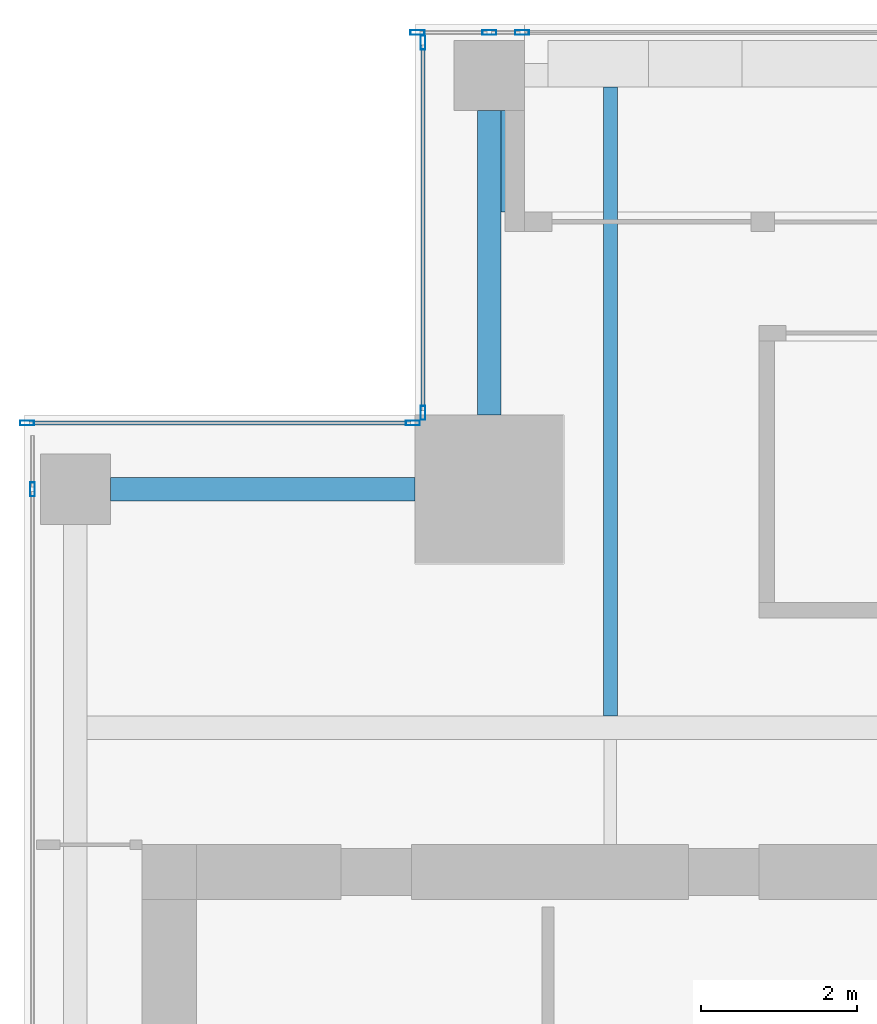
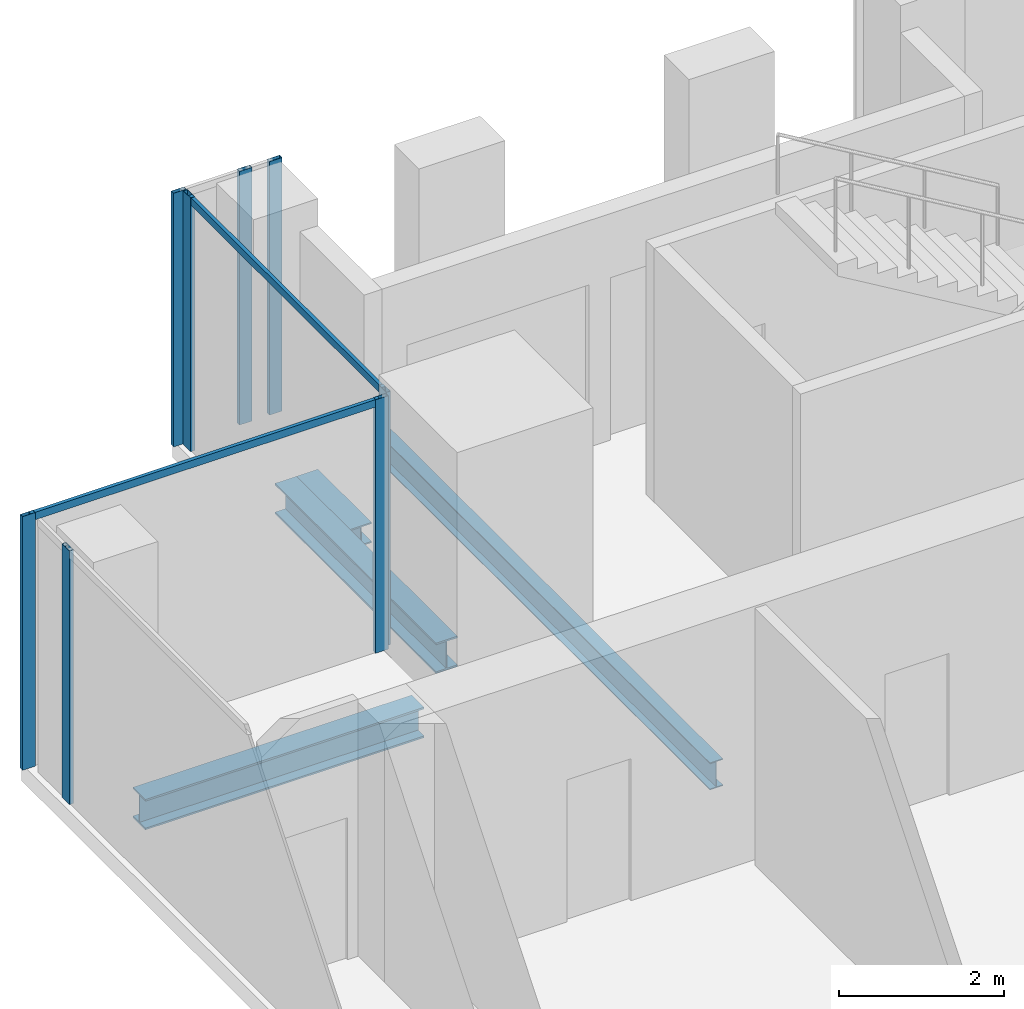
# One storey, part 17 of 36: 10 members, 4 beams, 4 elements without a shape of their own.
"""IFC4 building model written with IfcOpenShell, lengths in metres."""

from ifc_helpers import new_model, si_unit, direction, frame, origin, origin_2d, place, context, subcontext, project, spatial, hollow_rectangle, i_section, extrude, source, transform, mapped, material, material_profile, profile_set, type_object, element, aggregate, save


model = new_model("IFC4")

# Units and contexts
model_context = context("Model", 3, precision=1e-05, world=origin(), true_north=direction((0.0, 1.0)))
body_context = subcontext(model_context, "Body", "Model", "MODEL_VIEW")
ifc_project = project(units=[si_unit("LENGTHUNIT", "METRE"), si_unit("AREAUNIT", "SQUARE_METRE"), si_unit("VOLUMEUNIT", "CUBIC_METRE"), si_unit("PLANEANGLEUNIT", "RADIAN"), si_unit("MASSUNIT", "GRAM", prefix="KILO")], contexts=[model_context])

# Site, building, storey
site_placement = place(None, origin())
site = spatial("IfcSite", under=ifc_project, at=site_placement, CompositionType="ELEMENT")
building_placement = place(site_placement, origin())
building = spatial("IfcBuilding", under=site, at=building_placement, Name="Khomas Fold Tower", CompositionType="ELEMENT")
storey_placement = place(building_placement, frame((0.0, 0.0, 238.199951171875)))
storey = spatial("IfcBuildingStorey", under=building, at=storey_placement, Name="L53", CompositionType="ELEMENT", Elevation=238.199951171875)

# Beams
ifc_material_1 = material(Name="Steel S355", Category="steel")
ifc_material_profile_1 = material_profile(ifc_material_1, i_section(OverallWidth=0.300048828125, OverallDepth=0.449951171875, WebThickness=0.013916015625, FlangeThickness=0.02587890625, at=origin_2d()), Name="HE 450 B")
ifc_profile_set_1 = profile_set([ifc_material_profile_1], Name="Steel S355")
beam_type_1 = type_object("IfcBeamType", Name="HE 450 B spandrel SB4", PredefinedType="SPANDREL", material=ifc_profile_set_1)
shared_shape_1 = source(origin(), body_context, "Body", "SweptSolid", [
    extrude(i_section(OverallWidth=0.300048828125, OverallDepth=0.449951171875, WebThickness=0.013916015625, FlangeThickness=0.02587890625, at=origin_2d()), origin(), (0.0, 0.0, 1.0), 3.89990234375),
])
for number, where, z_axis, x_axis, name in (
    (1, (10.449951171875, 44.5, -0.474853515625), (0.0, 1.0, 0.0), (-1.0, 0.0, 0.0), "SB4"),
    (2, (5.60009765625, 43.550048828125, -0.474853515625), (1.0, 0.0, 0.0), (0.0, 1.0, 0.0), "SB4"),
):
    element("IfcBeam", number, at=place(storey_placement, frame(where, z_axis=z_axis, x_axis=x_axis)), inside=storey, type_object=beam_type_1, Name=name, PredefinedType="SPANDREL", context=body_context, shape_type="MappedRepresentation", body=[
        mapped(shared_shape_1, transform((0.0, 0.0, 0.0))),
    ])
ifc_material_2 = material(Name="Steel S355", Category="steel")
ifc_material_profile_2 = material_profile(ifc_material_2, i_section(OverallWidth=0.179931640625, OverallDepth=0.39990234375, WebThickness=0.008544921875, FlangeThickness=0.013427734375, at=origin_2d()), Name="IPE 400")
ifc_profile_set_2 = profile_set([ifc_material_profile_2], Name="Steel S355")
beam_type_2 = type_object("IfcBeamType", Name="IPE 400 beam JB3", PredefinedType="BEAM", material=ifc_profile_set_2)
shared_shape_2 = source(origin(), body_context, "Body", "SweptSolid", [
    extrude(i_section(OverallWidth=0.179931640625, OverallDepth=0.39990234375, WebThickness=0.008544921875, FlangeThickness=0.013427734375, at=origin_2d()), origin(), (0.0, 0.0, 1.0), 8.050048828125),
])
beam_1_placement = place(storey_placement, frame((12.0, 40.64990234375, -0.449951171875), z_axis=(0.0, 1.0, 0.0), x_axis=(-1.0, 0.0, 0.0)))
element("IfcBeam", 3, at=beam_1_placement, inside=storey, type_object=beam_type_2, Name="JB3", PredefinedType="BEAM", context=body_context, shape_type="MappedRepresentation", body=[
    mapped(shared_shape_2, transform((0.0, 0.0, 0.0))),
])
ifc_material_3 = material(Name="Steel S355", Category="steel")
ifc_material_profile_3 = material_profile(ifc_material_3, i_section(OverallWidth=0.300048828125, OverallDepth=0.300048828125, WebThickness=0.010986328125, FlangeThickness=0.01904296875, at=origin_2d()), Name="HE 300 B")
ifc_profile_set_3 = profile_set([ifc_material_profile_3], Name="Steel S355")
beam_type_3 = type_object("IfcBeamType", Name="HE 300 B beam BB1", PredefinedType="BEAM", material=ifc_profile_set_3)
shared_shape_3 = source(origin(), body_context, "Body", "SweptSolid", [
    extrude(i_section(OverallWidth=0.300048828125, OverallDepth=0.300048828125, WebThickness=0.010986328125, FlangeThickness=0.01904296875, at=origin_2d()), origin(), (0.0, 0.0, 1.0), 1.2998046875),
])
beam_2_placement = place(storey_placement, frame((10.75, 47.10009765625, -0.39990234375), z_axis=(0.0, 1.0, 0.0), x_axis=(-1.0, 0.0, 0.0)))
element("IfcBeam", 4, at=beam_2_placement, inside=storey, type_object=beam_type_3, Name="BB1", PredefinedType="BEAM", context=body_context, shape_type="MappedRepresentation", body=[
    mapped(shared_shape_3, transform((0.0, 0.0, 0.0))),
])

# Curtain wall, members
ifc_material_4 = material(Name="Aluminium framed double glazing", Category="aluminium")
curtain_wall_type = type_object("IfcCurtainWallType", Name="SK-Unitised clear-glass wall, office floors CW2", PredefinedType="NOTDEFINED", material=ifc_material_4)
curtain_wall_1_placement = place(storey_placement, origin())
curtain_wall_1 = element("IfcCurtainWall", 5, at=curtain_wall_1_placement, inside=storey, type_object=curtain_wall_type, Name="CW2 run L53 06-2", PredefinedType="NOTDEFINED")
ifc_material_5 = material(Name="Aluminium", Category="aluminium")
ifc_material_profile_4 = material_profile(ifc_material_5, hollow_rectangle(XDim=0.06005859375, YDim=0.179931640625, WallThickness=0.00390625, at=origin_2d()), Name="SK-Unitised clear-glass wall, office floors mullion CW2-M")
ifc_profile_set_4 = profile_set([ifc_material_profile_4], Name="Aluminium")
member_type_1 = type_object("IfcMemberType", Name="SK-Unitised clear-glass wall, office floors mullion CW2-M", PredefinedType="MULLION", material=ifc_profile_set_4)
shared_shape_4 = source(origin(), body_context, "Body", "SweptSolid", [
    extrude(hollow_rectangle(XDim=0.06005859375, YDim=0.179931640625, WallThickness=0.00390625, at=origin_2d()), origin(), (0.0, 0.0, 1.0), 3.75),
])
member_1_placement = place(storey_placement, frame((10.8701171875, 49.39990234375, 0.0), z_axis=(0.0, 0.0, 1.0), x_axis=(0.0, -1.0, 0.0)))
member_1 = element("IfcMember", 6, at=member_1_placement, type_object=member_type_1, Name="CW2 mullion 1", PredefinedType="MULLION", context=body_context, shape_type="MappedRepresentation", body=[
    mapped(shared_shape_4, transform((0.0, 0.0, 0.0))),
])
member_2_placement = place(storey_placement, frame((10.449951171875, 49.39990234375, 0.0), z_axis=(0.0, 0.0, 1.0), x_axis=(0.0, -1.0, 0.0)))
member_2 = element("IfcMember", 7, at=member_2_placement, type_object=member_type_1, Name="CW2 mullion 2", PredefinedType="MULLION", context=body_context, shape_type="MappedRepresentation", body=[
    mapped(shared_shape_4, transform((0.0, 0.0, 0.0))),
])
member_3_placement = place(storey_placement, frame((9.530029296875, 49.39990234375, 0.0), z_axis=(0.0, 0.0, 1.0), x_axis=(0.0, -1.0, 0.0)))
member_3 = element("IfcMember", 8, at=member_3_placement, type_object=member_type_1, Name="CW2 mullion 3", PredefinedType="MULLION", context=body_context, shape_type="MappedRepresentation", body=[
    mapped(shared_shape_4, transform((0.0, 0.0, 0.0))),
])
aggregate(curtain_wall_1, [member_1, member_2, member_3])

curtain_wall_2_placement = place(storey_placement, origin())
curtain_wall_2 = element("IfcCurtainWall", 9, at=curtain_wall_2_placement, inside=storey, type_object=curtain_wall_type, Name="CW2 corner return L53 07", PredefinedType="NOTDEFINED")
member_4_placement = place(storey_placement, frame((9.60009765625, 49.27001953125, 0.0), z_axis=(0.0, 0.0, 1.0), x_axis=(1.0, 0.0, 0.0)))
member_4 = element("IfcMember", 10, at=member_4_placement, type_object=member_type_1, Name="CW2 mullion 1", PredefinedType="MULLION", context=body_context, shape_type="MappedRepresentation", body=[
    mapped(shared_shape_4, transform((0.0, 0.0, 0.0))),
])
member_5_placement = place(storey_placement, frame((9.60009765625, 44.530029296875, 0.0), z_axis=(0.0, 0.0, 1.0), x_axis=(1.0, 0.0, 0.0)))
member_5 = element("IfcMember", 11, at=member_5_placement, type_object=member_type_1, Name="CW2 mullion 2", PredefinedType="MULLION", context=body_context, shape_type="MappedRepresentation", body=[
    mapped(shared_shape_4, transform((0.0, 0.0, 0.0))),
])

curtain_wall_3_placement = place(storey_placement, origin())
curtain_wall_3 = element("IfcCurtainWall", 12, at=curtain_wall_3_placement, inside=storey, type_object=curtain_wall_type, Name="CW2 corner return L53 08", PredefinedType="NOTDEFINED")
member_6_placement = place(storey_placement, frame((9.469970703125, 44.39990234375, 0.0), z_axis=(0.0, 0.0, 1.0), x_axis=(0.0, -1.0, 0.0)))
member_6 = element("IfcMember", 13, at=member_6_placement, type_object=member_type_1, Name="CW2 mullion 1", PredefinedType="MULLION", context=body_context, shape_type="MappedRepresentation", body=[
    mapped(shared_shape_4, transform((0.0, 0.0, 0.0))),
])
member_7_placement = place(storey_placement, frame((4.530029296875, 44.39990234375, 0.0), z_axis=(0.0, 0.0, 1.0), x_axis=(0.0, -1.0, 0.0)))
member_7 = element("IfcMember", 14, at=member_7_placement, type_object=member_type_1, Name="CW2 mullion 2", PredefinedType="MULLION", context=body_context, shape_type="MappedRepresentation", body=[
    mapped(shared_shape_4, transform((0.0, 0.0, 0.0))),
])

# Curtain wall, member
curtain_wall_4_placement = place(storey_placement, origin())
curtain_wall_4 = element("IfcCurtainWall", 15, at=curtain_wall_4_placement, inside=storey, type_object=curtain_wall_type, Name="CW2 run L53 09-0", PredefinedType="NOTDEFINED")
member_8_placement = place(storey_placement, frame((4.60009765625, 43.550048828125, 0.0), z_axis=(0.0, 0.0, 1.0), x_axis=(1.0, 0.0, 0.0)))
member_8 = element("IfcMember", 16, at=member_8_placement, type_object=member_type_1, Name="CW2 mullion 2", PredefinedType="MULLION", context=body_context, shape_type="MappedRepresentation", body=[
    mapped(shared_shape_4, transform((0.0, 0.0, 0.0))),
])
aggregate(curtain_wall_4, [member_8])

# Member
ifc_material_6 = material(Name="Aluminium", Category="aluminium")
ifc_material_profile_5 = material_profile(ifc_material_6, hollow_rectangle(XDim=0.050048828125, YDim=0.110107421875, WallThickness=0.00390625, at=origin_2d()), Name="SK-Unitised clear-glass wall, office floors transom CW2-T")
ifc_profile_set_5 = profile_set([ifc_material_profile_5], Name="Aluminium")
member_type_2 = type_object("IfcMemberType", Name="SK-Unitised clear-glass wall, office floors transom CW2-T", PredefinedType="USERDEFINED", material=ifc_profile_set_5)
shared_shape_5 = source(origin(), body_context, "Body", "SweptSolid", [
    extrude(hollow_rectangle(XDim=0.050048828125, YDim=0.110107421875, WallThickness=0.00390625, at=origin_2d()), origin(), (0.0, 0.0, 1.0), 4.679931640625),
])
member_9_placement = place(storey_placement, frame((9.60009765625, 49.239990234375, 3.695068359375), z_axis=(0.0, -1.0, 0.0), x_axis=(1.0, 0.0, 0.0)))
member_9 = element("IfcMember", 17, at=member_9_placement, type_object=member_type_2, Name="CW2 transom 1", ObjectType="TRANSOM", PredefinedType="USERDEFINED", context=body_context, shape_type="MappedRepresentation", body=[
    mapped(shared_shape_5, transform((0.0, 0.0, 0.0))),
])

aggregate(curtain_wall_2, [member_4, member_5, member_9])

shared_shape_6 = source(origin(), body_context, "Body", "SweptSolid", [
    extrude(hollow_rectangle(XDim=0.050048828125, YDim=0.110107421875, WallThickness=0.00390625, at=origin_2d()), origin(), (0.0, 0.0, 1.0), 4.8798828125),
])
member_10_placement = place(storey_placement, frame((9.43994140625, 44.39990234375, 3.695068359375), z_axis=(-1.0, 0.0, 0.0), x_axis=(0.0, -1.0, 0.0)))
member_10 = element("IfcMember", 18, at=member_10_placement, type_object=member_type_2, Name="CW2 transom 1", ObjectType="TRANSOM", PredefinedType="USERDEFINED", context=body_context, shape_type="MappedRepresentation", body=[
    mapped(shared_shape_6, transform((0.0, 0.0, 0.0))),
])

aggregate(curtain_wall_3, [member_6, member_7, member_10])

save(model, "model.ifc")
